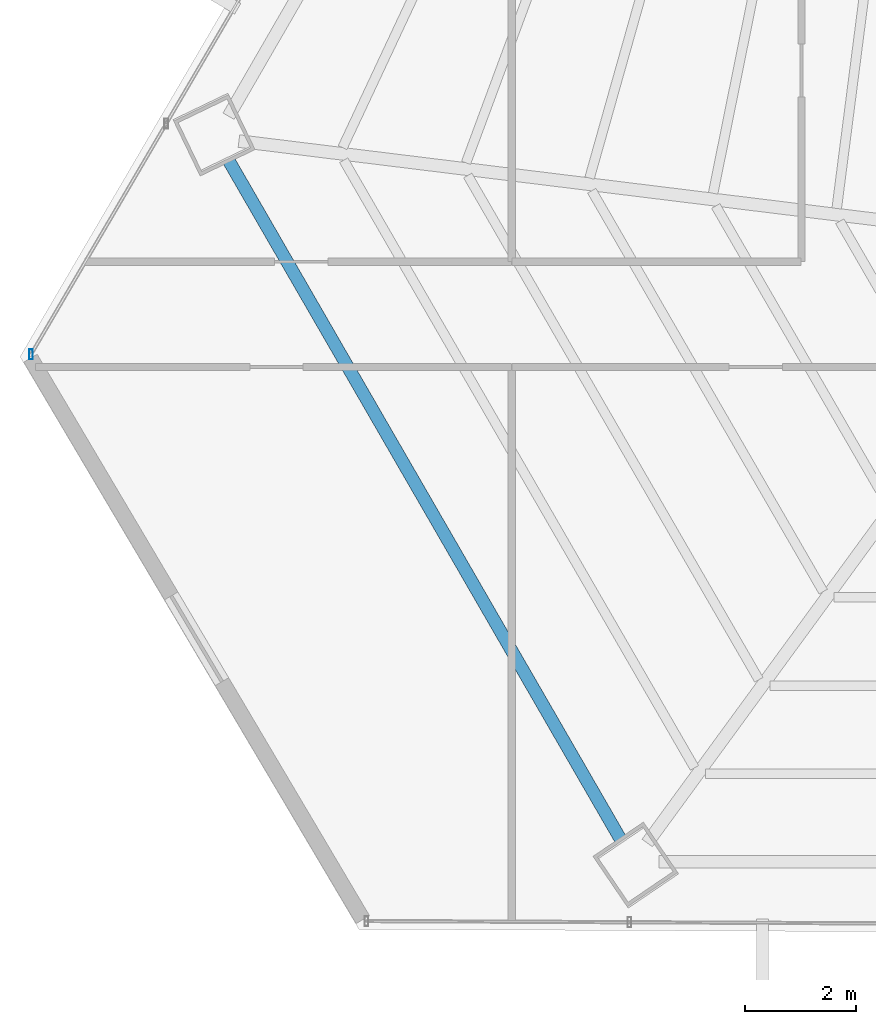
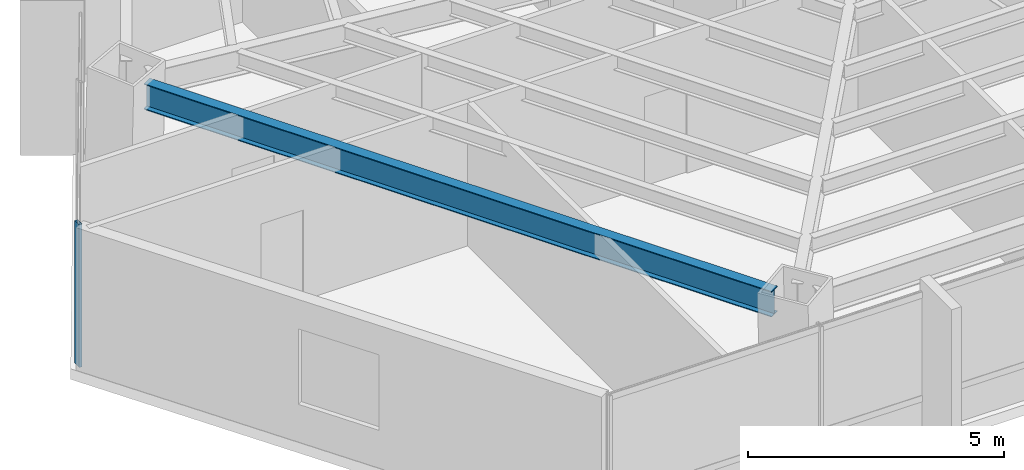
# One storey, part 6 of 35: 1 beam, 1 member, 1 element without a shape of its own.
"""IFC4 building model written with IfcOpenShell, lengths in metres."""

from ifc_helpers import new_model, si_unit, direction, frame, origin, origin_2d, place, context, subcontext, project, spatial, hollow_rectangle, i_section, extrude, source, transform, mapped, material, material_profile, profile_set, type_object, type_shapes, element, aggregate, save


model = new_model("IFC4")

# Units and contexts
model_context = context("Model", 3, precision=1e-05, world=origin(), true_north=direction((0.0, 1.0)))
body_context = subcontext(model_context, "Body", "Model", "MODEL_VIEW")
ifc_project = project(units=[si_unit("LENGTHUNIT", "METRE"), si_unit("AREAUNIT", "SQUARE_METRE"), si_unit("VOLUMEUNIT", "CUBIC_METRE"), si_unit("PLANEANGLEUNIT", "RADIAN"), si_unit("MASSUNIT", "GRAM", prefix="KILO")], contexts=[model_context])

# Site, building, storey
site_placement = place(None, origin())
site = spatial("IfcSite", under=ifc_project, at=site_placement, CompositionType="ELEMENT")
building_placement = place(site_placement, origin())
building = spatial("IfcBuilding", under=site, at=building_placement, Name="Caelisora Broadcast Tower", CompositionType="ELEMENT")
storey_placement = place(building_placement, frame((0.0, 0.0, 98.10009765625)))
storey = spatial("IfcBuildingStorey", under=building, at=storey_placement, Name="L25", CompositionType="ELEMENT", Elevation=98.10009765625)

# Beam
ifc_material_1 = material(Name="Steel Grade 350 (AS/NZS 3679.1)", Category="steel")
ifc_material_profile_1 = material_profile(ifc_material_1, i_section(OverallWidth=0.22900390625, OverallDepth=0.611572265625, WebThickness=0.011962890625, FlangeThickness=0.01953125, at=origin_2d()), Name="Steel Grade 350 (AS/NZS 3679.1)")
ifc_profile_set_1 = profile_set([ifc_material_profile_1], Name="Steel Grade 350 (AS/NZS 3679.1)")
beam_type = type_object("IfcBeamType", Name="PG03", PredefinedType="BEAM", material=ifc_profile_set_1)
shared_shape_1 = source(origin(), body_context, "Body", "SweptSolid", [
    extrude(i_section(OverallWidth=0.22900390625, OverallDepth=0.611572265625, WebThickness=0.011962890625, FlangeThickness=0.01953125, at=origin_2d()), origin(), (0.0, 0.0, 1.0), 14.16064453125),
])
type_shapes(beam_type, [shared_shape_1])
beam_placement = place(storey_placement, frame((15.05859375, 18.930419921875, 3.093994140625), z_axis=(0.500001533938, -0.866024518163, 0.0), x_axis=(0.866024518163, 0.500001533938, 0.0)))
element("IfcBeam", 1, at=beam_placement, inside=storey, type_object=beam_type, Name="L25 beam PG03", PredefinedType="BEAM", context=body_context, shape_type="MappedRepresentation", body=[
    mapped(shared_shape_1, transform((0.0, 0.0, 0.0), scale=1.0)),
])

# Curtain wall, member
ifc_material_2 = material(Name="Unitised Aluminium and Low-E Glass Curtain Wall", Category="glass")
curtain_wall_type = type_object("IfcCurtainWallType", Name="CW-Z2", PredefinedType="NOTDEFINED", material=ifc_material_2)
curtain_wall_placement = place(storey_placement, origin())
curtain_wall = element("IfcCurtainWall", 2, at=curtain_wall_placement, inside=storey, type_object=curtain_wall_type, Name="L25 curtain wall CW-Z2", PredefinedType="NOTDEFINED")
ifc_material_3 = material(Name="Aluminium 6063-T6 Anodised Terracotta Bronze", Category="aluminium")
ifc_material_profile_2 = material_profile(ifc_material_3, hollow_rectangle(XDim=0.06494140625, YDim=0.179931640625, WallThickness=0.00341796875, at=origin_2d()), Name="Aluminium 6063-T6 Anodised Terracotta Bronze")
ifc_profile_set_2 = profile_set([ifc_material_profile_2], Name="Aluminium 6063-T6 Anodised Terracotta Bronze")
member_type = type_object("IfcMemberType", Name="CWM-02", PredefinedType="MULLION", material=ifc_profile_set_2)
shared_shape_2 = source(origin(), body_context, "Body", "SweptSolid", [
    extrude(hollow_rectangle(XDim=0.06494140625, YDim=0.179931640625, WallThickness=0.00341796875, at=origin_2d()), origin(), (0.0, 0.0, 1.0), 3.39990234375),
])
type_shapes(member_type, [shared_shape_2])
member_placement = place(storey_placement, frame((11.493408203125, 15.427001953125, 0.0), z_axis=(0.0, 0.0, 1.0), x_axis=(1.0, 0.0, 0.0)))
member = element("IfcMember", 3, at=member_placement, type_object=member_type, Name="L25-CW-B09 mullion #0", PredefinedType="MULLION", context=body_context, shape_type="MappedRepresentation", body=[
    mapped(shared_shape_2, transform((0.0, 0.0, 0.0), scale=1.0)),
])
aggregate(curtain_wall, [member])

save(model, "model.ifc")
